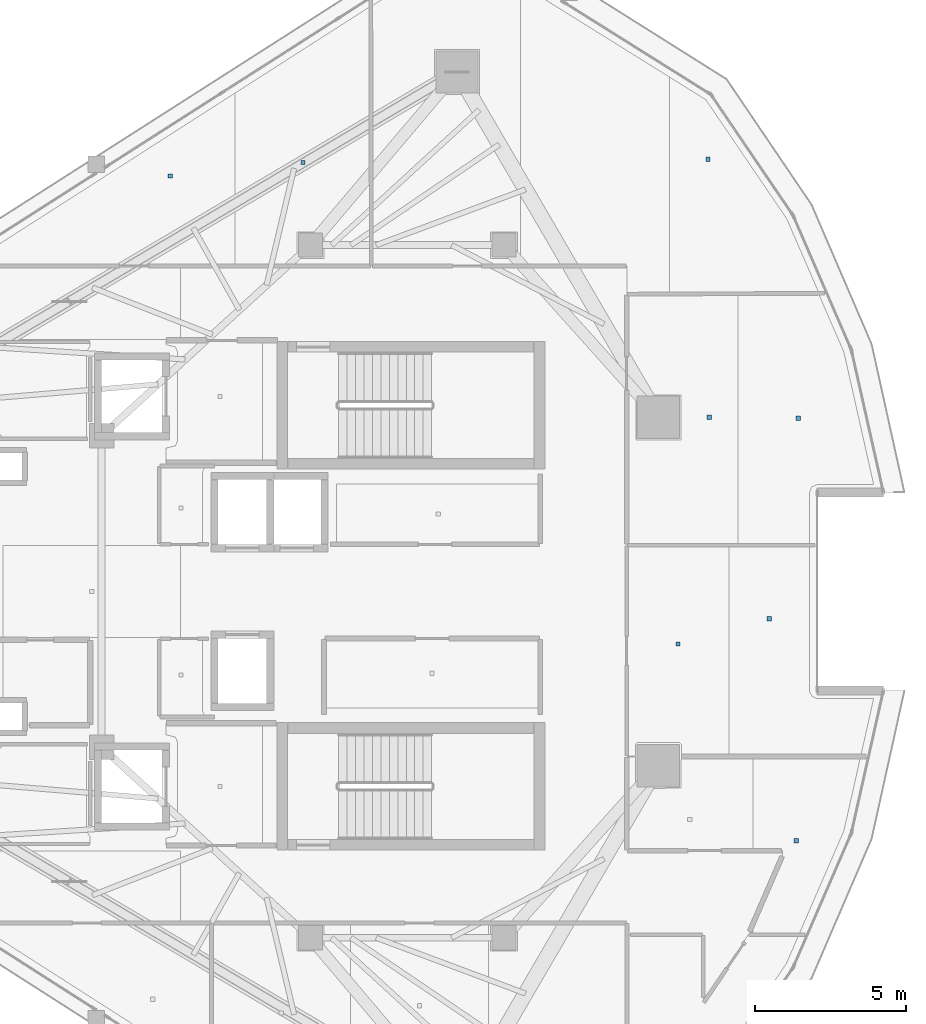
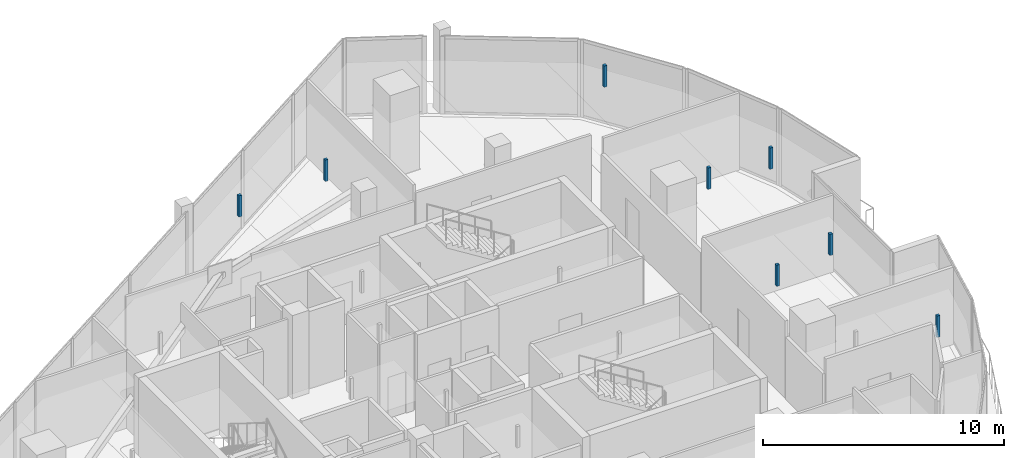
# One storey, part 20 of 25: 8 discrete accessories.
"""IFC4 building model written with IfcOpenShell, lengths in metres."""

from ifc_helpers import new_model, si_unit, direction, frame, origin, origin_2d, place, context, subcontext, project, spatial, rectangle, extrude, material, type_object, element, save


model = new_model("IFC4")

# Units and contexts
model_context = context("Model", 3, precision=1e-05, world=origin(), true_north=direction((0.0, 1.0)))
body_context = subcontext(model_context, "Body", "Model", "MODEL_VIEW")
ifc_project = project(units=[si_unit("LENGTHUNIT", "METRE"), si_unit("AREAUNIT", "SQUARE_METRE"), si_unit("VOLUMEUNIT", "CUBIC_METRE"), si_unit("PLANEANGLEUNIT", "RADIAN"), si_unit("MASSUNIT", "GRAM", prefix="KILO")], contexts=[model_context])

# Site, building, storey
site_placement = place(None, origin())
site = spatial("IfcSite", under=ifc_project, at=site_placement, CompositionType="ELEMENT")
building_placement = place(site_placement, origin())
building = spatial("IfcBuilding", under=site, at=building_placement, Name="Qorvath Tower", CompositionType="ELEMENT")
storey_placement = place(building_placement, frame((0.0, 0.0, 314.39990234375)))
storey = spatial("IfcBuildingStorey", under=building, at=storey_placement, Name="L73", CompositionType="ELEMENT", Elevation=314.39990234375)

# Discrete accessories
ifc_material = material(Name="Galvanised steel bracket", Category="steel")
discrete_accessory_type = type_object("IfcDiscreteAccessoryType", Name="DA-BRACKET", PredefinedType="BRACKET", material=ifc_material)
for number, where, z_axis, x_axis, name in (
    (1, (-28.235107421875, 13.736328125, 2.860107421875), (0.0, 0.0, 1.0), (1.0, 0.0, 0.0), "Acoustic Ceiling Suspension Hanger T1-L73-013"),
    (2, (-23.847900390625, 14.182861328125, 2.860107421875), (0.0, 0.0, 1.0), (1.0, 0.0, 0.0), "Acoustic Ceiling Suspension Hanger T1-L73-014"),
    (3, (-10.453857421875, 14.289794921875, 2.860107421875), (0.0, 0.0, 1.0), (1.0, 0.0, 0.0), "Acoustic Ceiling Suspension Hanger T1-L73-017"),
    (4, (-7.53857421875, -8.241943359375, 2.860107421875), (0.0, 0.0, 1.0), (1.0, 0.0, 0.0), "Acoustic Ceiling Suspension Hanger T1-L73-024"),
    (5, (-11.4501953125, -1.736572265625, 2.860107421875), (0.0, 0.0, 1.0), (1.0, 0.0, 0.0), "Acoustic Ceiling Suspension Hanger T1-L73-025"),
    (6, (-8.42919921875, -0.901123046875, 2.860107421875), (0.0, 0.0, 1.0), (1.0, 0.0, 0.0), "Acoustic Ceiling Suspension Hanger T1-L73-026"),
    (7, (-10.40966796875, 5.7578125, 2.860107421875), (0.0, 0.0, 1.0), (1.0, 0.0, 0.0), "Acoustic Ceiling Suspension Hanger T1-L73-027"),
    (8, (-7.467041015625, 5.724853515625, 2.860107421875), (0.0, 0.0, 1.0), (1.0, 0.0, 0.0), "Acoustic Ceiling Suspension Hanger T1-L73-028"),
):
    element("IfcDiscreteAccessory", number, at=place(storey_placement, frame(where, z_axis=z_axis, x_axis=x_axis)), inside=storey, type_object=discrete_accessory_type, Name=name, PredefinedType="NOTDEFINED", context=body_context, shape_type="SweptSolid", body=[
        extrude(rectangle(XDim=0.139892578125, YDim=0.139892578125, at=origin_2d()), origin(), (0.0, 0.0, 1.0), 1.080078125),
    ])

save(model, "model.ifc")
